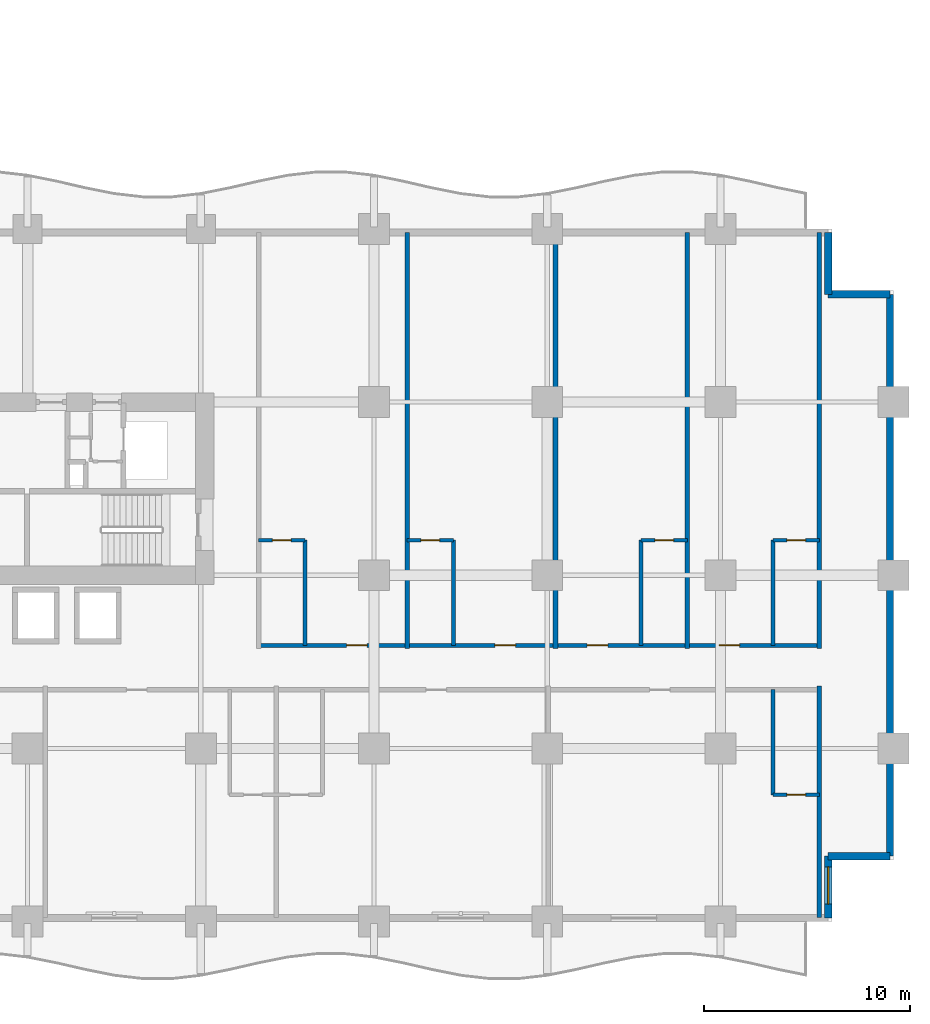
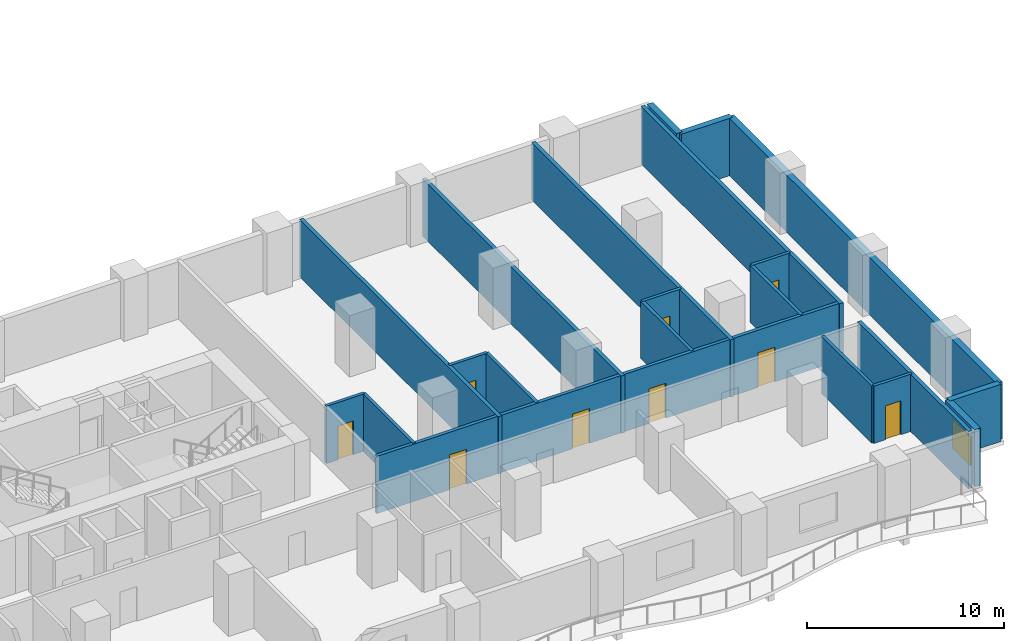
# One storey, part 12 of 22: 21 walls, 9 doors, 1 window, 10 openings.
"""IFC4 building model written with IfcOpenShell, lengths in metres."""

import ifcopenshell
import ifcopenshell.guid

model = None  # the IFC model being written
_history = None  # IfcOwnerHistory: only IFC2X3 demands one
_inside = {}  # id of a spatial element -> (the spatial element, [elements in it])
_under = {}  # id of a project, library or spatial element -> (it, [spatial elements below it])
_declared = {}  # id of a project -> (the project, [libraries it declares])
_typed = {}  # id of a type object -> (the type object, [elements of that type])
_made_of = {}  # id of a material, layer set ... -> (it, [elements and type objects made of it])


def new_model(schema):
    """Start an empty IFC model of exactly this schema.

    Asked for "IFC4X3", IfcOpenShell would pick the latest addendum, in which some entities
    have other attributes; the version numbers below select the first issue.
    IFC2X3 requires an IfcOwnerHistory on every rooted entity: one is made here for all.
    """
    global model, _history
    if schema == "IFC4X3":
        model = ifcopenshell.file(schema_version=(4, 3, 0, 0))
    else:
        model = ifcopenshell.file(schema=schema)
    _inside.clear()
    _under.clear()
    _declared.clear()
    _typed.clear()
    _made_of.clear()
    _history = None
    if model.schema == "IFC2X3":
        org = make("IfcOrganization", Name="unknown")
        user = make(
            "IfcPersonAndOrganization",
            ThePerson=make("IfcPerson", FamilyName="unknown"),
            TheOrganization=org,
        )
        app = make(
            "IfcApplication",
            ApplicationDeveloper=org,
            Version="unknown",
            ApplicationFullName="unknown",
            ApplicationIdentifier="unknown",
        )
        _history = make(
            "IfcOwnerHistory",
            OwningUser=user,
            OwningApplication=app,
            ChangeAction="ADDED",
            CreationDate=0,
        )
    return model


def make(cls, **values):
    """One entity of the class cls with the attributes given. An attribute that is None is left unset."""
    return model.create_entity(
        cls, **{name: value for name, value in values.items() if value is not None}
    )


def rooted(cls, **values):
    """An entity with a GlobalId (a new one), such as an element, a storey or a relation."""
    return make(cls, GlobalId=ifcopenshell.guid.new(), OwnerHistory=_history, **values)


def si_unit(unit_type, name, prefix=None):
    """IfcSIUnit, for example si_unit("LENGTHUNIT", "METRE", prefix="MILLI")."""
    return make("IfcSIUnit", UnitType=unit_type, Prefix=prefix, Name=name)


def assignment(units):
    """IfcUnitAssignment: the units of a project."""
    return None if units is None else make("IfcUnitAssignment", Units=units)


def point(xyz):
    """IfcCartesianPoint."""
    return None if xyz is None else make("IfcCartesianPoint", Coordinates=xyz)


def direction(xyz):
    """IfcDirection."""
    return None if xyz is None else make("IfcDirection", DirectionRatios=xyz)


def frame(location, z_axis=None, x_axis=None):
    """IfcAxis2Placement3D, a coordinate frame: its origin and axes. An axis left out is left unset."""
    return make(
        "IfcAxis2Placement3D",
        Location=point(location),
        Axis=direction(z_axis),
        RefDirection=direction(x_axis),
    )


def frame_2d(location, x_axis=None):
    """IfcAxis2Placement2D, a coordinate frame in the plane: its origin and x axis."""
    return make(
        "IfcAxis2Placement2D", Location=point(location), RefDirection=direction(x_axis)
    )


def origin():
    """The frame at (0, 0, 0) with its axes left unset."""
    return frame((0.0, 0.0, 0.0))


def place(relative_to, where):
    """IfcLocalPlacement: puts the frame where relative to a parent placement (None: the world)."""
    return make(
        "IfcLocalPlacement", PlacementRelTo=relative_to, RelativePlacement=where
    )


def context(
    kind, dimensions, precision=None, world=None, true_north=None, identifier=None
):
    """IfcGeometricRepresentationContext, for example the 3D "Model" context."""
    return make(
        "IfcGeometricRepresentationContext",
        ContextIdentifier=identifier,
        ContextType=kind,
        CoordinateSpaceDimension=dimensions,
        Precision=precision,
        WorldCoordinateSystem=world,
        TrueNorth=true_north,
    )


def subcontext(parent, identifier, kind, view, scale=None):
    """IfcGeometricRepresentationSubContext, for example "Body" below "Model"."""
    return make(
        "IfcGeometricRepresentationSubContext",
        ContextIdentifier=identifier,
        ContextType=kind,
        ParentContext=parent,
        TargetScale=scale,
        TargetView=view,
    )


def project(units=None, contexts=None):
    """IfcProject with its units and contexts."""
    return rooted(
        "IfcProject",
        Name="project",
        RepresentationContexts=contexts,
        UnitsInContext=assignment(units),
    )


def spatial(cls, under=None, at=None, **own):
    """A site, building, storey or space (cls), placed at a placement, below another one or the project."""
    s = rooted(cls, ObjectPlacement=at, **own)
    if under is not None:
        _under.setdefault(under.id(), (under, []))[1].append(s)
    return s


def profile(cls, at=None, kind="AREA", **sizes):
    """A parametric profile (cls). Its sizes go by their IFC names, for example OverallWidth=200.0."""
    return make(cls, ProfileType=kind, Position=at, **sizes)


def rectangle(**sizes):
    """IfcRectangleProfileDef."""
    return profile("IfcRectangleProfileDef", **sizes)


def extrude(swept, where, along, depth):
    """IfcExtrudedAreaSolid: the profile swept, set in the frame where, extruded along a direction by depth."""
    return make(
        "IfcExtrudedAreaSolid",
        SweptArea=swept,
        Position=where,
        ExtrudedDirection=direction(along),
        Depth=depth,
    )


def shape(context_of_items, identifier, shape_type, items):
    """IfcShapeRepresentation: the items that make up one representation, for example the "Body"."""
    return make(
        "IfcShapeRepresentation",
        ContextOfItems=context_of_items,
        RepresentationIdentifier=identifier,
        RepresentationType=shape_type,
        Items=items,
    )


def material(Name=None, Category=None):
    """IfcMaterial."""
    return make("IfcMaterial", Name=Name, Category=Category)


def layer(
    of_material, thickness, ventilated=None, Name=None, Category=None, Priority=None
):
    """IfcMaterialLayer: one layer of a wall or slab, of a material (None: an air gap)."""
    return make(
        "IfcMaterialLayer",
        Material=of_material,
        LayerThickness=thickness,
        IsVentilated=ventilated,
        Name=Name,
        Category=Category,
        Priority=Priority,
    )


def layer_set(layers, Name=None):
    """IfcMaterialLayerSet."""
    return make("IfcMaterialLayerSet", MaterialLayers=layers, LayerSetName=Name)


def made_of(thing, what):
    """Note that an element or type object is made of a material, layer set ...; save() writes the relation."""
    if what is not None:
        _made_of.setdefault(what.id(), (what, []))[1].append(thing)
    return thing


def type_object(cls, material=None, **own):
    """A type object (cls), such as IfcWallType, which elements share."""
    return made_of(rooted(cls, **own), material)


def element(
    cls,
    number,
    at=None,
    inside=None,
    cuts=None,
    type_object=None,
    material=None,
    context=None,
    identifier="Body",
    shape_type=None,
    held_by="IfcProductDefinitionShape",
    body=None,
    shapes=None,
    **own,
):
    """One element of the class cls, such as IfcWall. Its Tag is "e" and its number.

    at: its placement. inside: the storey or other place that contains it. cuts: it is an
    opening in that element (IfcRelVoidsElement). A single representation is given by context,
    identifier, shape_type and body (its items); several are given by shapes. held_by: the class
    of the entity that holds the representations. save() writes the other relations.
    """
    e = rooted(cls, Tag="e%d" % number, ObjectPlacement=at, **own)
    if body is not None:
        shapes = [shape(context, identifier, shape_type, body)]
    if shapes is not None:
        e.Representation = make(held_by, Representations=shapes)
    if inside is not None:
        _inside.setdefault(inside.id(), (inside, []))[1].append(e)
    if cuts is not None:
        rooted(
            "IfcRelVoidsElement", RelatingBuildingElement=cuts, RelatedOpeningElement=e
        )
    if type_object is not None:
        _typed.setdefault(type_object.id(), (type_object, []))[1].append(e)
    return made_of(e, material)


def fill(opening, filler):
    """IfcRelFillsElement: the door or window that sits in an opening."""
    return rooted(
        "IfcRelFillsElement",
        RelatingOpeningElement=opening,
        RelatedBuildingElement=filler,
    )


def aggregate(whole, parts):
    """IfcRelAggregates: a whole, such as a stair, and the parts it consists of."""
    return rooted("IfcRelAggregates", RelatingObject=whole, RelatedObjects=parts)


def save(model, path):
    """Write the relations noted so far, then the file.

    IfcRelAggregates (storeys below a building ...), IfcRelContainedInSpatialStructure (elements
    in a storey), IfcRelDefinesByType, IfcRelAssociatesMaterial and IfcRelDeclares: one each for
    every whole, place, type object, material and project.
    """
    for whole, parts in _under.values():
        aggregate(whole, parts)
    for where, things in _inside.values():
        rooted(
            "IfcRelContainedInSpatialStructure",
            RelatedElements=things,
            RelatingStructure=where,
        )
    for kind, things in _typed.values():
        rooted("IfcRelDefinesByType", RelatedObjects=things, RelatingType=kind)
    for what, things in _made_of.values():
        rooted("IfcRelAssociatesMaterial", RelatedObjects=things, RelatingMaterial=what)
    for by, libraries in _declared.values():
        rooted("IfcRelDeclares", RelatingContext=by, RelatedDefinitions=libraries)
    model.write(path)


model = new_model("IFC4")

# Units and contexts
model_context = context("Model", 3, precision=1e-05, world=origin(), true_north=direction((0.0, 1.0)))
body_context = subcontext(model_context, "Body", "Model", "MODEL_VIEW")
ifc_project = project(units=[si_unit("LENGTHUNIT", "METRE"), si_unit("AREAUNIT", "SQUARE_METRE"), si_unit("VOLUMEUNIT", "CUBIC_METRE"), si_unit("PLANEANGLEUNIT", "RADIAN"), si_unit("MASSUNIT", "GRAM", prefix="KILO")], contexts=[model_context])

# Site, building, storey
site_placement = place(None, origin())
site = spatial("IfcSite", under=ifc_project, at=site_placement, CompositionType="ELEMENT")
building_placement = place(site_placement, origin())
building = spatial("IfcBuilding", under=site, at=building_placement, Name="Koriwani Terraces Tower", CompositionType="ELEMENT")
storey_placement = place(building_placement, frame((0.0, 0.0, 51.0)))
storey = spatial("IfcBuildingStorey", under=building, at=storey_placement, Name="L11", CompositionType="ELEMENT", Elevation=51.0)

# Wall, openings, doors
ifc_material_1 = material(Name="Autoclaved Cellular Concrete Blockwork", Category="masonry")
ifc_layer_1 = layer(ifc_material_1, 0.199951171875, Name="Autoclaved Cellular Concrete Blockwork")
ifc_layer_set_1 = layer_set([ifc_layer_1], Name="Autoclaved Cellular Concrete Blockwork")
wall_type_1 = type_object("IfcWallType", Name="WALL_CORRIDOR_200", PredefinedType="PARTITIONING", material=ifc_layer_set_1)
wall_1_placement = place(storey_placement, frame((61.60009765625, 13.39990234375, 0.0), z_axis=(0.0, 0.0, 1.0), x_axis=(1.0, 0.0, 0.0)))
wall_1 = element("IfcWall", 1, at=wall_1_placement, inside=storey, type_object=wall_type_1, Name="L11 Interior Wall WCOR-L11-SE-0", PredefinedType="PARTITIONING", context=body_context, shape_type="SweptSolid", body=[
    extrude(rectangle(XDim=27.199951171875, YDim=0.199951171875, at=frame_2d((13.60009765625, 0.0))), origin(), (0.0, 0.0, 1.0), 3.550048828125),
])
opening_1_placement = place(wall_1_placement, frame((4.264892578125, 0.0, 0.0)))
opening_1 = element("IfcOpeningElement", 2, at=opening_1_placement, cuts=wall_1, Name="Opening D-05", PredefinedType="OPENING", context=body_context, shape_type="SweptSolid", body=[
    extrude(rectangle(XDim=1.0, YDim=2.14990234375, at=frame_2d((0.5, 1.074951171875))), frame((0.0, 0.10986328125, 0.0), z_axis=(0.0, -1.0, 0.0), x_axis=(1.0, 0.0, 0.0)), (0.0, 0.0, 1.0), 0.219970703125),
])
opening_2_placement = place(wall_1_placement, frame((11.465087890625, 0.0, 0.0)))
opening_2 = element("IfcOpeningElement", 3, at=opening_2_placement, cuts=wall_1, Name="Opening D-05", PredefinedType="OPENING", context=body_context, shape_type="SweptSolid", body=[
    extrude(rectangle(XDim=1.0, YDim=2.14990234375, at=frame_2d((0.5, 1.074951171875))), frame((0.0, 0.10986328125, 0.0), z_axis=(0.0, -1.0, 0.0), x_axis=(1.0, 0.0, 0.0)), (0.0, 0.0, 1.0), 0.219970703125),
])
opening_3_placement = place(wall_1_placement, frame((15.93505859375, 0.0, 0.0)))
opening_3 = element("IfcOpeningElement", 4, at=opening_3_placement, cuts=wall_1, Name="Opening D-05", PredefinedType="OPENING", context=body_context, shape_type="SweptSolid", body=[
    extrude(rectangle(XDim=1.0, YDim=2.14990234375, at=frame_2d((0.5, 1.074951171875))), frame((0.0, 0.10986328125, 0.0), z_axis=(0.0, -1.0, 0.0), x_axis=(1.0, 0.0, 0.0)), (0.0, 0.0, 1.0), 0.219970703125),
])
opening_4_placement = place(wall_1_placement, frame((22.3349609375, 0.0, 0.0)))
opening_4 = element("IfcOpeningElement", 5, at=opening_4_placement, cuts=wall_1, Name="Opening D-05", PredefinedType="OPENING", context=body_context, shape_type="SweptSolid", body=[
    extrude(rectangle(XDim=1.0, YDim=2.14990234375, at=frame_2d((0.5, 1.074951171875))), frame((0.0, 0.10986328125, 0.0), z_axis=(0.0, -1.0, 0.0), x_axis=(1.0, 0.0, 0.0)), (0.0, 0.0, 1.0), 0.219970703125),
])
ifc_material_2 = material(Name="Architectural Oak Fire Door", Category="wood")
door_type_1 = type_object("IfcDoorType", Name="DOOR_SUITE_ENTRY_1000X2150", OperationType="NOTDEFINED", PredefinedType="DOOR", material=ifc_material_2)
door_1_placement = place(opening_1_placement, origin())
door_1 = element("IfcDoor", 6, at=door_1_placement, inside=storey, type_object=door_type_1, Name="Luxury Hotel Suite 11SE1 Entrance Door", OperationType="SINGLE_SWING_LEFT", OverallHeight=2.14990234375, OverallWidth=1.0, PredefinedType="DOOR", context=body_context, shape_type="SweptSolid", body=[
    extrude(rectangle(XDim=1.0, YDim=2.14990234375, at=frame_2d((0.5, 1.074951171875))), frame((0.0, 0.02490234375, 0.0), z_axis=(0.0, -1.0, 0.0), x_axis=(1.0, 0.0, 0.0)), (0.0, 0.0, 1.0), 0.050048828125),
])
fill(opening_1, door_1)
door_2_placement = place(opening_2_placement, origin())
door_2 = element("IfcDoor", 7, at=door_2_placement, inside=storey, type_object=door_type_1, Name="Luxury Hotel Suite 11SE2 Entrance Door", OperationType="SINGLE_SWING_LEFT", OverallHeight=2.14990234375, OverallWidth=1.0, PredefinedType="DOOR", context=body_context, shape_type="SweptSolid", body=[
    extrude(rectangle(XDim=1.0, YDim=2.14990234375, at=frame_2d((0.5, 1.074951171875))), frame((0.0, 0.02490234375, 0.0), z_axis=(0.0, -1.0, 0.0), x_axis=(1.0, 0.0, 0.0)), (0.0, 0.0, 1.0), 0.050048828125),
])
fill(opening_2, door_2)
door_3_placement = place(opening_3_placement, origin())
door_3 = element("IfcDoor", 8, at=door_3_placement, inside=storey, type_object=door_type_1, Name="Luxury Hotel Suite 11SE3 Entrance Door", OperationType="SINGLE_SWING_LEFT", OverallHeight=2.14990234375, OverallWidth=1.0, PredefinedType="DOOR", context=body_context, shape_type="SweptSolid", body=[
    extrude(rectangle(XDim=1.0, YDim=2.14990234375, at=frame_2d((0.5, 1.074951171875))), frame((0.0, 0.02490234375, 0.0), z_axis=(0.0, -1.0, 0.0), x_axis=(1.0, 0.0, 0.0)), (0.0, 0.0, 1.0), 0.050048828125),
])
fill(opening_3, door_3)
door_4_placement = place(opening_4_placement, origin())
door_4 = element("IfcDoor", 9, at=door_4_placement, inside=storey, type_object=door_type_1, Name="Luxury Hotel Suite 11SE4 Entrance Door", OperationType="SINGLE_SWING_LEFT", OverallHeight=2.14990234375, OverallWidth=1.0, PredefinedType="DOOR", context=body_context, shape_type="SweptSolid", body=[
    extrude(rectangle(XDim=1.0, YDim=2.14990234375, at=frame_2d((0.5, 1.074951171875))), frame((0.0, 0.02490234375, 0.0), z_axis=(0.0, -1.0, 0.0), x_axis=(1.0, 0.0, 0.0)), (0.0, 0.0, 1.0), 0.050048828125),
])
fill(opening_4, door_4)

# Walls
ifc_layer_2 = layer(ifc_material_1, 0.219970703125, Name="Autoclaved Cellular Concrete Blockwork")
ifc_layer_set_2 = layer_set([ifc_layer_2], Name="Autoclaved Cellular Concrete Blockwork")
wall_type_2 = type_object("IfcWallType", Name="WALL_DEMISING_220", PredefinedType="PARTITIONING", material=ifc_layer_set_2)
wall_2_placement = place(storey_placement, frame((88.800048828125, 0.199951171875, 0.0), z_axis=(0.0, 0.0, 1.0), x_axis=(0.0, 1.0, 0.0)))
element("IfcWall", 10, at=wall_2_placement, inside=storey, type_object=wall_type_2, Name="L11 Interior Wall WDEME-L11-SW", PredefinedType="PARTITIONING", context=body_context, shape_type="SweptSolid", body=[
    extrude(rectangle(XDim=11.22998046875, YDim=0.219970703125, at=frame_2d((5.614990234375, 0.0))), origin(), (0.0, 0.0, 1.0), 3.550048828125),
])
for number, where, z_axis, x_axis, name in (
    (11, (68.800048828125, 13.25, 0.0), (0.0, 0.0, 1.0), (0.0, 1.0, 0.0), "L11 Interior Wall WDEM-L11-SE-1"),
    (12, (76.0, 13.25, 0.0), (0.0, 0.0, 1.0), (0.0, 1.0, 0.0), "L11 Interior Wall WDEM-L11-SE-2"),
    (13, (82.39990234375, 13.25, 0.0), (0.0, 0.0, 1.0), (0.0, 1.0, 0.0), "L11 Interior Wall WDEM-L11-SE-3"),
    (14, (88.800048828125, 13.25, 0.0), (0.0, 0.0, 1.0), (0.0, 1.0, 0.0), "L11 Interior Wall WDEME-L11-SE"),
):
    element("IfcWall", number, at=place(storey_placement, frame(where, z_axis=z_axis, x_axis=x_axis)), inside=storey, type_object=wall_type_2, Name=name, PredefinedType="PARTITIONING", context=body_context, shape_type="SweptSolid", body=[
        extrude(rectangle(XDim=20.179931640625, YDim=0.219970703125, at=frame_2d((10.08984375, 0.0))), origin(), (0.0, 0.0, 1.0), 3.550048828125),
    ])
ifc_material_3 = material(Name="Concrete C50/60", Category="concrete")
ifc_layer_3 = layer(ifc_material_3, 0.35009765625, Name="Concrete C50/60")
ifc_layer_set_3 = layer_set([ifc_layer_3], Name="Concrete C50/60")
wall_type_3 = type_object("IfcWallType", Name="WALL_EXT_BRUTALIST_350", PredefinedType="STANDARD", material=ifc_layer_set_3)
for number, where, z_axis, x_axis, name in (
    (15, (89.22509765625, 33.425048828125, 0.0), (0.0, 0.0, 1.0), (0.0, -1.0, 0.0), "L11 Fair-Faced Brutalist Exterior Wall (N10)"),
    (16, (89.22509765625, 30.425048828125, 0.0), (0.0, 0.0, 1.0), (1.0, 0.0, 0.0), "L11 Fair-Faced Brutalist Exterior Wall (N11)"),
):
    element("IfcWall", number, at=place(storey_placement, frame(where, z_axis=z_axis, x_axis=x_axis)), inside=storey, type_object=wall_type_3, Name=name, PredefinedType="STANDARD", context=body_context, shape_type="SweptSolid", body=[
        extrude(rectangle(XDim=3.0, YDim=0.35009765625, at=frame_2d((1.5, 0.0))), origin(), (0.0, 0.0, 1.0), 3.550048828125),
    ])
wall_3_placement = place(storey_placement, frame((92.22509765625, 30.425048828125, 0.0), z_axis=(0.0, 0.0, 1.0), x_axis=(0.0, -1.0, 0.0)))
element("IfcWall", 17, at=wall_3_placement, inside=storey, type_object=wall_type_3, Name="L11 Fair-Faced Brutalist Exterior Wall (E_TIP)", PredefinedType="STANDARD", context=body_context, shape_type="SweptSolid", body=[
    extrude(rectangle(XDim=27.25, YDim=0.35009765625, at=frame_2d((13.625, 0.0))), origin(), (0.0, 0.0, 1.0), 3.550048828125),
])
wall_4_placement = place(storey_placement, frame((92.22509765625, 3.175048828125, 0.0), z_axis=(0.0, 0.0, 1.0), x_axis=(-1.0, 0.0, 0.0)))
element("IfcWall", 18, at=wall_4_placement, inside=storey, type_object=wall_type_3, Name="L11 Fair-Faced Brutalist Exterior Wall (N13)", PredefinedType="STANDARD", context=body_context, shape_type="SweptSolid", body=[
    extrude(rectangle(XDim=3.0, YDim=0.35009765625, at=frame_2d((1.5, 0.0))), origin(), (0.0, 0.0, 1.0), 3.550048828125),
])

# Wall, opening, window
wall_5_placement = place(storey_placement, frame((89.22509765625, 3.175048828125, 0.0), z_axis=(0.0, 0.0, 1.0), x_axis=(0.0, -1.0, 0.0)))
wall_5 = element("IfcWall", 19, at=wall_5_placement, inside=storey, type_object=wall_type_3, Name="L11 Fair-Faced Brutalist Exterior Wall (N14)", PredefinedType="STANDARD", context=body_context, shape_type="SweptSolid", body=[
    extrude(rectangle(XDim=3.0, YDim=0.35009765625, at=frame_2d((1.5, 0.0))), origin(), (0.0, 0.0, 1.0), 3.550048828125),
])
opening_5_placement = place(wall_5_placement, frame((0.5224609375, 0.0, 0.85009765625)))
opening_5 = element("IfcOpeningElement", 20, at=opening_5_placement, cuts=wall_5, Name="Opening W-04", PredefinedType="OPENING", context=body_context, shape_type="SweptSolid", body=[
    extrude(rectangle(XDim=1.800048828125, YDim=1.800048828125, at=frame_2d((0.89990234375, 0.89990234375))), frame((0.0, 0.18505859375, 0.0), z_axis=(0.0, -1.0, 0.0), x_axis=(1.0, 0.0, 0.0)), (0.0, 0.0, 1.0), 0.3701171875),
])
ifc_material_4 = material(Name="Tempered Laminated Low-E Glass", Category="glass")
window_type = type_object("IfcWindowType", Name="WIN_RES_BED_1800X1800", PartitioningType="DOUBLE_PANEL_VERTICAL", PredefinedType="WINDOW", material=ifc_material_4)
window_placement = place(opening_5_placement, origin())
window = element("IfcWindow", 21, at=window_placement, inside=storey, type_object=window_type, Name="L11 Exterior Window (N14-R58)", OverallHeight=1.800048828125, OverallWidth=1.800048828125, PartitioningType="SINGLE_PANEL", PredefinedType="WINDOW", context=body_context, shape_type="SweptSolid", body=[
    extrude(rectangle(XDim=1.800048828125, YDim=1.800048828125, at=frame_2d((0.89990234375, 0.89990234375))), frame((0.0, 0.030029296875, 0.0), z_axis=(0.0, -1.0, 0.0), x_axis=(1.0, 0.0, 0.0)), (0.0, 0.0, 1.0), 0.06005859375),
])
fill(opening_5, window)

# Wall, opening, door
ifc_material_5 = material(Name="Fire-Rated Acoustic Gypsum Partition", Category="masonry")
ifc_layer_4 = layer(ifc_material_5, 0.179931640625, Name="Fire-Rated Acoustic Gypsum Partition")
ifc_layer_set_4 = layer_set([ifc_layer_4], Name="Fire-Rated Acoustic Gypsum Partition")
wall_type_4 = type_object("IfcWallType", Name="WALL_PLUMBING_180", PredefinedType="PLUMBINGWALL", material=ifc_layer_set_4)
wall_6_placement = place(storey_placement, frame((86.550048828125, 6.14990234375, 0.0), z_axis=(0.0, 0.0, 1.0), x_axis=(1.0, 0.0, 0.0)))
wall_6 = element("IfcWall", 22, at=wall_6_placement, inside=storey, type_object=wall_type_4, Name="L11 Interior Wall WBTH1-L11-SW-5", PredefinedType="PLUMBINGWALL", context=body_context, shape_type="SweptSolid", body=[
    extrude(rectangle(XDim=2.25, YDim=0.179931640625, at=frame_2d((1.125, 0.0))), origin(), (0.0, 0.0, 1.0), 3.550048828125),
])
opening_6_placement = place(wall_6_placement, frame((0.675048828125, 0.0, 0.0)))
opening_6 = element("IfcOpeningElement", 23, at=opening_6_placement, cuts=wall_6, Name="Opening D-07", PredefinedType="OPENING", context=body_context, shape_type="SweptSolid", body=[
    extrude(rectangle(XDim=0.89990234375, YDim=2.10009765625, at=frame_2d((0.449951171875, 1.050048828125))), frame((0.0, 0.10009765625, 0.0), z_axis=(0.0, -1.0, 0.0), x_axis=(1.0, 0.0, 0.0)), (0.0, 0.0, 1.0), 0.199951171875),
])
door_type_2 = type_object("IfcDoorType", Name="DOOR_BATH_INT_900X2100", OperationType="NOTDEFINED", PredefinedType="DOOR", material=ifc_material_2)
door_5_placement = place(opening_6_placement, origin())
door_5 = element("IfcDoor", 24, at=door_5_placement, inside=storey, type_object=door_type_2, Name="En-Suite Bathroom 11SW6 Door", OperationType="SINGLE_SWING_RIGHT", OverallHeight=2.10009765625, OverallWidth=0.89990234375, PredefinedType="DOOR", context=body_context, shape_type="SweptSolid", body=[
    extrude(rectangle(XDim=0.89990234375, YDim=2.10009765625, at=frame_2d((0.449951171875, 1.050048828125))), frame((0.0, 0.02490234375, 0.0), z_axis=(0.0, -1.0, 0.0), x_axis=(1.0, 0.0, 0.0)), (0.0, 0.0, 1.0), 0.050048828125),
])
fill(opening_6, door_5)

# Wall
wall_7_placement = place(storey_placement, frame((86.550048828125, 6.14990234375, 0.0), z_axis=(0.0, 0.0, 1.0), x_axis=(0.0, 1.0, 0.0)))
element("IfcWall", 25, at=wall_7_placement, inside=storey, type_object=wall_type_4, Name="L11 Interior Wall WBTH2-L11-SW-5", PredefinedType="PLUMBINGWALL", context=body_context, shape_type="SweptSolid", body=[
    extrude(rectangle(XDim=5.10009765625, YDim=0.179931640625, at=frame_2d((2.550048828125, 0.0))), origin(), (0.0, 0.0, 1.0), 3.550048828125),
])

# Wall, opening, door
wall_8_placement = place(storey_placement, frame((61.60009765625, 18.5, 0.0), z_axis=(0.0, 0.0, 1.0), x_axis=(1.0, 0.0, 0.0)))
wall_8 = element("IfcWall", 26, at=wall_8_placement, inside=storey, type_object=wall_type_4, Name="L11 Interior Wall WBTH1-L11-SE-0", PredefinedType="PLUMBINGWALL", context=body_context, shape_type="SweptSolid", body=[
    extrude(rectangle(XDim=2.25, YDim=0.179931640625, at=frame_2d((1.125, 0.0))), origin(), (0.0, 0.0, 1.0), 3.550048828125),
])
opening_7_placement = place(wall_8_placement, frame((0.675048828125, 0.0, 0.0)))
opening_7 = element("IfcOpeningElement", 27, at=opening_7_placement, cuts=wall_8, Name="Opening D-07", PredefinedType="OPENING", context=body_context, shape_type="SweptSolid", body=[
    extrude(rectangle(XDim=0.89990234375, YDim=2.10009765625, at=frame_2d((0.449951171875, 1.050048828125))), frame((0.0, 0.10009765625, 0.0), z_axis=(0.0, -1.0, 0.0), x_axis=(1.0, 0.0, 0.0)), (0.0, 0.0, 1.0), 0.199951171875),
])
door_6_placement = place(opening_7_placement, origin())
door_6 = element("IfcDoor", 28, at=door_6_placement, inside=storey, type_object=door_type_2, Name="En-Suite Bathroom 11SE1 Door", OperationType="SINGLE_SWING_RIGHT", OverallHeight=2.10009765625, OverallWidth=0.89990234375, PredefinedType="DOOR", context=body_context, shape_type="SweptSolid", body=[
    extrude(rectangle(XDim=0.89990234375, YDim=2.10009765625, at=frame_2d((0.449951171875, 1.050048828125))), frame((0.0, 0.02490234375, 0.0), z_axis=(0.0, -1.0, 0.0), x_axis=(1.0, 0.0, 0.0)), (0.0, 0.0, 1.0), 0.050048828125),
])
fill(opening_7, door_6)

# Wall
wall_9_placement = place(storey_placement, frame((63.85009765625, 13.39990234375, 0.0), z_axis=(0.0, 0.0, 1.0), x_axis=(0.0, 1.0, 0.0)))
element("IfcWall", 29, at=wall_9_placement, inside=storey, type_object=wall_type_4, Name="L11 Interior Wall WBTH2-L11-SE-0", PredefinedType="PLUMBINGWALL", context=body_context, shape_type="SweptSolid", body=[
    extrude(rectangle(XDim=5.10009765625, YDim=0.179931640625, at=frame_2d((2.550048828125, 0.0))), origin(), (0.0, 0.0, 1.0), 3.550048828125),
])

# Wall, opening, door
wall_10_placement = place(storey_placement, frame((68.800048828125, 18.5, 0.0), z_axis=(0.0, 0.0, 1.0), x_axis=(1.0, 0.0, 0.0)))
wall_10 = element("IfcWall", 30, at=wall_10_placement, inside=storey, type_object=wall_type_4, Name="L11 Interior Wall WBTH1-L11-SE-1", PredefinedType="PLUMBINGWALL", context=body_context, shape_type="SweptSolid", body=[
    extrude(rectangle(XDim=2.25, YDim=0.179931640625, at=frame_2d((1.125, 0.0))), origin(), (0.0, 0.0, 1.0), 3.550048828125),
])
opening_8_placement = place(wall_10_placement, frame((0.675048828125, 0.0, 0.0)))
opening_8 = element("IfcOpeningElement", 31, at=opening_8_placement, cuts=wall_10, Name="Opening D-07", PredefinedType="OPENING", context=body_context, shape_type="SweptSolid", body=[
    extrude(rectangle(XDim=0.89990234375, YDim=2.10009765625, at=frame_2d((0.449951171875, 1.050048828125))), frame((0.0, 0.10009765625, 0.0), z_axis=(0.0, -1.0, 0.0), x_axis=(1.0, 0.0, 0.0)), (0.0, 0.0, 1.0), 0.199951171875),
])
door_7_placement = place(opening_8_placement, origin())
door_7 = element("IfcDoor", 32, at=door_7_placement, inside=storey, type_object=door_type_2, Name="En-Suite Bathroom 11SE2 Door", OperationType="SINGLE_SWING_RIGHT", OverallHeight=2.10009765625, OverallWidth=0.89990234375, PredefinedType="DOOR", context=body_context, shape_type="SweptSolid", body=[
    extrude(rectangle(XDim=0.89990234375, YDim=2.10009765625, at=frame_2d((0.449951171875, 1.050048828125))), frame((0.0, 0.02490234375, 0.0), z_axis=(0.0, -1.0, 0.0), x_axis=(1.0, 0.0, 0.0)), (0.0, 0.0, 1.0), 0.050048828125),
])
fill(opening_8, door_7)

# Wall
wall_11_placement = place(storey_placement, frame((71.050048828125, 13.39990234375, 0.0), z_axis=(0.0, 0.0, 1.0), x_axis=(0.0, 1.0, 0.0)))
element("IfcWall", 33, at=wall_11_placement, inside=storey, type_object=wall_type_4, Name="L11 Interior Wall WBTH2-L11-SE-1", PredefinedType="PLUMBINGWALL", context=body_context, shape_type="SweptSolid", body=[
    extrude(rectangle(XDim=5.10009765625, YDim=0.179931640625, at=frame_2d((2.550048828125, 0.0))), origin(), (0.0, 0.0, 1.0), 3.550048828125),
])

# Wall, opening, door
wall_12_placement = place(storey_placement, frame((80.14990234375, 18.5, 0.0), z_axis=(0.0, 0.0, 1.0), x_axis=(1.0, 0.0, 0.0)))
wall_12 = element("IfcWall", 34, at=wall_12_placement, inside=storey, type_object=wall_type_4, Name="L11 Interior Wall WBTH1-L11-SE-2", PredefinedType="PLUMBINGWALL", context=body_context, shape_type="SweptSolid", body=[
    extrude(rectangle(XDim=2.25, YDim=0.179931640625, at=frame_2d((1.125, 0.0))), origin(), (0.0, 0.0, 1.0), 3.550048828125),
])
opening_9_placement = place(wall_12_placement, frame((0.675048828125, 0.0, 0.0)))
opening_9 = element("IfcOpeningElement", 35, at=opening_9_placement, cuts=wall_12, Name="Opening D-07", PredefinedType="OPENING", context=body_context, shape_type="SweptSolid", body=[
    extrude(rectangle(XDim=0.89990234375, YDim=2.10009765625, at=frame_2d((0.449951171875, 1.050048828125))), frame((0.0, 0.10009765625, 0.0), z_axis=(0.0, -1.0, 0.0), x_axis=(1.0, 0.0, 0.0)), (0.0, 0.0, 1.0), 0.199951171875),
])
door_8_placement = place(opening_9_placement, origin())
door_8 = element("IfcDoor", 36, at=door_8_placement, inside=storey, type_object=door_type_2, Name="En-Suite Bathroom 11SE3 Door", OperationType="SINGLE_SWING_RIGHT", OverallHeight=2.10009765625, OverallWidth=0.89990234375, PredefinedType="DOOR", context=body_context, shape_type="SweptSolid", body=[
    extrude(rectangle(XDim=0.89990234375, YDim=2.10009765625, at=frame_2d((0.449951171875, 1.050048828125))), frame((0.0, 0.02490234375, 0.0), z_axis=(0.0, -1.0, 0.0), x_axis=(1.0, 0.0, 0.0)), (0.0, 0.0, 1.0), 0.050048828125),
])
fill(opening_9, door_8)

# Wall
wall_13_placement = place(storey_placement, frame((80.14990234375, 13.39990234375, 0.0), z_axis=(0.0, 0.0, 1.0), x_axis=(0.0, 1.0, 0.0)))
element("IfcWall", 37, at=wall_13_placement, inside=storey, type_object=wall_type_4, Name="L11 Interior Wall WBTH2-L11-SE-2", PredefinedType="PLUMBINGWALL", context=body_context, shape_type="SweptSolid", body=[
    extrude(rectangle(XDim=5.10009765625, YDim=0.179931640625, at=frame_2d((2.550048828125, 0.0))), origin(), (0.0, 0.0, 1.0), 3.550048828125),
])

# Wall, opening, door
wall_14_placement = place(storey_placement, frame((86.550048828125, 18.5, 0.0), z_axis=(0.0, 0.0, 1.0), x_axis=(1.0, 0.0, 0.0)))
wall_14 = element("IfcWall", 38, at=wall_14_placement, inside=storey, type_object=wall_type_4, Name="L11 Interior Wall WBTH1-L11-SE-3", PredefinedType="PLUMBINGWALL", context=body_context, shape_type="SweptSolid", body=[
    extrude(rectangle(XDim=2.25, YDim=0.179931640625, at=frame_2d((1.125, 0.0))), origin(), (0.0, 0.0, 1.0), 3.550048828125),
])
opening_10_placement = place(wall_14_placement, frame((0.675048828125, 0.0, 0.0)))
opening_10 = element("IfcOpeningElement", 39, at=opening_10_placement, cuts=wall_14, Name="Opening D-07", PredefinedType="OPENING", context=body_context, shape_type="SweptSolid", body=[
    extrude(rectangle(XDim=0.89990234375, YDim=2.10009765625, at=frame_2d((0.449951171875, 1.050048828125))), frame((0.0, 0.10009765625, 0.0), z_axis=(0.0, -1.0, 0.0), x_axis=(1.0, 0.0, 0.0)), (0.0, 0.0, 1.0), 0.199951171875),
])
door_9_placement = place(opening_10_placement, origin())
door_9 = element("IfcDoor", 40, at=door_9_placement, inside=storey, type_object=door_type_2, Name="En-Suite Bathroom 11SE4 Door", OperationType="SINGLE_SWING_RIGHT", OverallHeight=2.10009765625, OverallWidth=0.89990234375, PredefinedType="DOOR", context=body_context, shape_type="SweptSolid", body=[
    extrude(rectangle(XDim=0.89990234375, YDim=2.10009765625, at=frame_2d((0.449951171875, 1.050048828125))), frame((0.0, 0.02490234375, 0.0), z_axis=(0.0, -1.0, 0.0), x_axis=(1.0, 0.0, 0.0)), (0.0, 0.0, 1.0), 0.050048828125),
])
fill(opening_10, door_9)

# Wall
wall_15_placement = place(storey_placement, frame((86.550048828125, 13.39990234375, 0.0), z_axis=(0.0, 0.0, 1.0), x_axis=(0.0, 1.0, 0.0)))
element("IfcWall", 41, at=wall_15_placement, inside=storey, type_object=wall_type_4, Name="L11 Interior Wall WBTH2-L11-SE-3", PredefinedType="PLUMBINGWALL", context=body_context, shape_type="SweptSolid", body=[
    extrude(rectangle(XDim=5.10009765625, YDim=0.179931640625, at=frame_2d((2.550048828125, 0.0))), origin(), (0.0, 0.0, 1.0), 3.550048828125),
])

save(model, "model.ifc")
